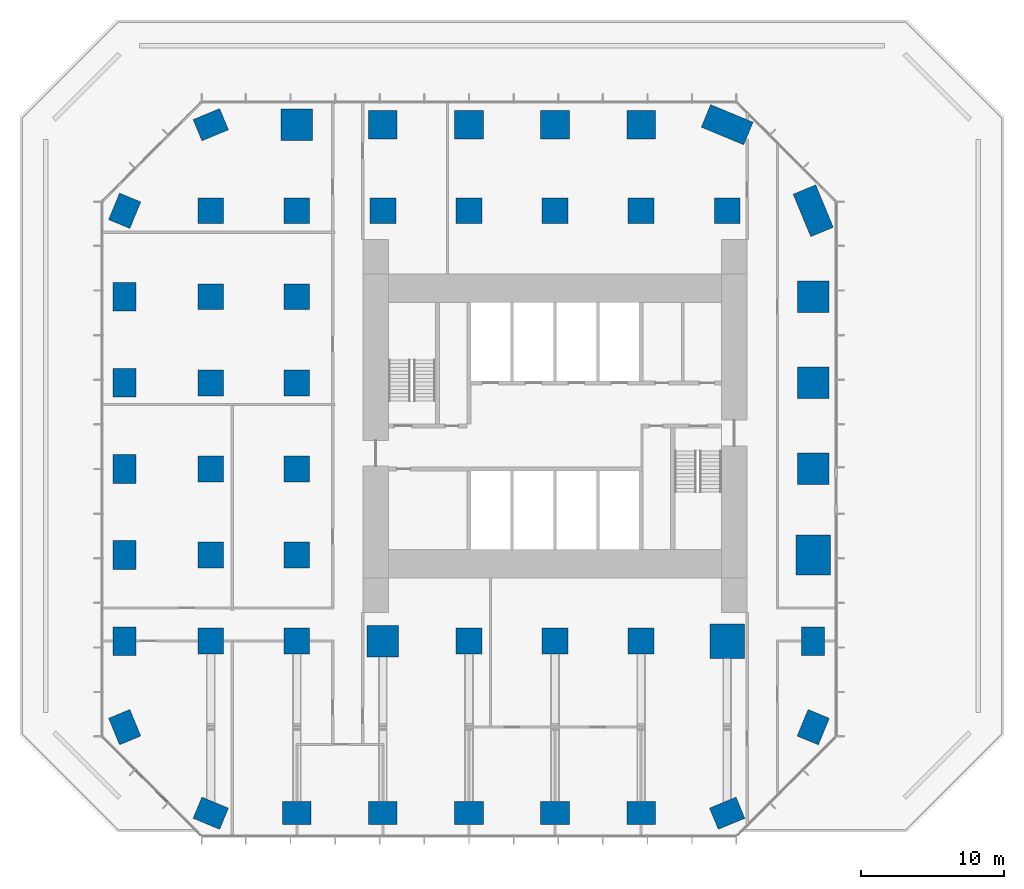
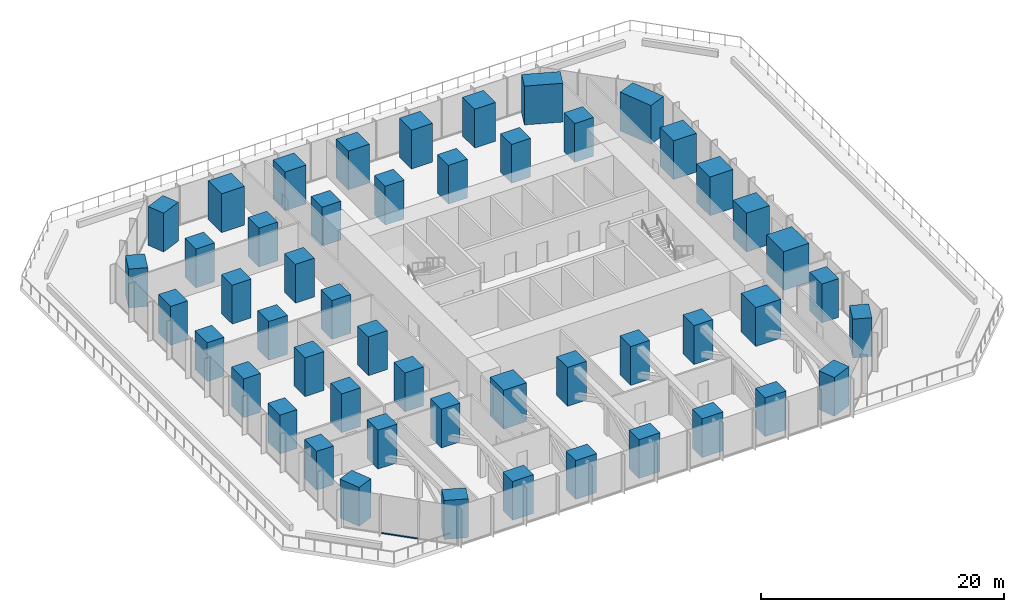
# One storey, part 1 of 11: 50 columns, 1 member, 1 element without a shape of its own.
"""IFC4 building model written with IfcOpenShell, lengths in metres."""

from ifc_helpers import new_model, si_unit, direction, frame, origin, origin_2d, place, context, subcontext, project, spatial, rectangle, extrude, material, layer, layer_set, material_profile, profile_set, type_object, element, aggregate, save


model = new_model("IFC4")

# Units and contexts
model_context = context("Model", 3, precision=1e-05, world=origin(), true_north=direction((0.0, 1.0)))
body_context = subcontext(model_context, "Body", "Model", "MODEL_VIEW")
ifc_project = project(units=[si_unit("LENGTHUNIT", "METRE"), si_unit("AREAUNIT", "SQUARE_METRE"), si_unit("VOLUMEUNIT", "CUBIC_METRE"), si_unit("PLANEANGLEUNIT", "RADIAN"), si_unit("MASSUNIT", "GRAM", prefix="KILO")], contexts=[model_context])

# Site, building, storey
site_placement = place(None, origin())
site = spatial("IfcSite", under=ifc_project, at=site_placement, CompositionType="ELEMENT")
building_placement = place(site_placement, origin())
building = spatial("IfcBuilding", under=site, at=building_placement, Name="Highveld Stack Headquarters", CompositionType="ELEMENT")
storey_placement = place(building_placement, frame((0.0, 0.0, 18.199951171875)))
storey = spatial("IfcBuildingStorey", under=building, at=storey_placement, Name="L03", CompositionType="ELEMENT", Elevation=18.199951171875)

# Columns
ifc_material_1 = material(Name="Concrete C60/75", Category="concrete")
ifc_material_profile_1 = material_profile(ifc_material_1, rectangle(XDim=1.800048828125, YDim=1.800048828125, at=origin_2d()), Name="RC 1800x1800")
ifc_profile_set_1 = profile_set([ifc_material_profile_1], Name="Concrete C60/75")
column_type_1 = type_object("IfcColumnType", Name="COLUMN RC 1800x1800 C60/75", PredefinedType="COLUMN", material=ifc_profile_set_1)
for number, where, z_axis, x_axis, name in (
    (1, (-18.0, -12.0, 0.0), (0.0, 0.0, 1.0), (1.0, 0.0, 0.0), "Column 3/C L03"),
    (2, (-18.0, -6.0, 0.0), (0.0, 0.0, 1.0), (1.0, 0.0, 0.0), "Column 3/D L03"),
    (3, (-18.0, 0.0, 0.0), (0.0, 0.0, 1.0), (1.0, 0.0, 0.0), "Column 3/E L03"),
    (4, (-18.0, 6.0, 0.0), (0.0, 0.0, 1.0), (1.0, 0.0, 0.0), "Column 3/F L03"),
    (5, (-18.0, 12.0, 0.0), (0.0, 0.0, 1.0), (1.0, 0.0, 0.0), "Column 3/G L03"),
    (6, (-18.0, 18.0, 0.0), (0.0, 0.0, 1.0), (1.0, 0.0, 0.0), "Column 3/H L03"),
    (7, (-12.0, -12.0, 0.0), (0.0, 0.0, 1.0), (1.0, 0.0, 0.0), "Column 4/C L03"),
    (8, (-12.0, -6.0, 0.0), (0.0, 0.0, 1.0), (1.0, 0.0, 0.0), "Column 4/D L03"),
    (9, (-12.0, 0.0, 0.0), (0.0, 0.0, 1.0), (1.0, 0.0, 0.0), "Column 4/E L03"),
    (10, (-12.0, 6.0, 0.0), (0.0, 0.0, 1.0), (1.0, 0.0, 0.0), "Column 4/F L03"),
    (11, (-12.0, 12.0, 0.0), (0.0, 0.0, 1.0), (1.0, 0.0, 0.0), "Column 4/G L03"),
    (12, (-12.0, 18.0, 0.0), (0.0, 0.0, 1.0), (1.0, 0.0, 0.0), "Column 4/H L03"),
    (13, (-6.0, 18.0, 0.0), (0.0, 0.0, 1.0), (1.0, 0.0, 0.0), "Column 5/H L03"),
    (14, (0.0, -12.0, 0.0), (0.0, 0.0, 1.0), (1.0, 0.0, 0.0), "Column 6/C L03"),
    (15, (0.0, 18.0, 0.0), (0.0, 0.0, 1.0), (1.0, 0.0, 0.0), "Column 6/H L03"),
    (16, (6.0, -12.0, 0.0), (0.0, 0.0, 1.0), (1.0, 0.0, 0.0), "Column 7/C L03"),
    (17, (6.0, 18.0, 0.0), (0.0, 0.0, 1.0), (1.0, 0.0, 0.0), "Column 7/H L03"),
    (18, (12.0, -12.0, 0.0), (0.0, 0.0, 1.0), (1.0, 0.0, 0.0), "Column 8/C L03"),
    (19, (12.0, 18.0, 0.0), (0.0, 0.0, 1.0), (1.0, 0.0, 0.0), "Column 8/H L03"),
    (20, (18.0, 18.0, 0.0), (0.0, 0.0, 1.0), (1.0, 0.0, 0.0), "Column 9/H L03"),
):
    element("IfcColumn", number, at=place(storey_placement, frame(where, z_axis=z_axis, x_axis=x_axis)), inside=storey, type_object=column_type_1, Name=name, PredefinedType="COLUMN", context=body_context, shape_type="SweptSolid", body=[
        extrude(rectangle(XDim=1.800048828125, YDim=1.800048828125, at=origin_2d()), origin(), (0.0, 0.0, 1.0), 3.900146484375),
    ])
ifc_material_2 = material(Name="Concrete C60/75", Category="concrete")
ifc_material_profile_2 = material_profile(ifc_material_2, rectangle(XDim=2.0, YDim=1.60009765625, at=origin_2d()), Name="RC 2000x1600")
ifc_profile_set_2 = profile_set([ifc_material_profile_2], Name="Concrete C60/75")
column_type_2 = type_object("IfcColumnType", Name="COLUMN RC 2000x1600 C60/75", PredefinedType="COLUMN", material=ifc_profile_set_2)
for number, where, z_axis, x_axis, name in (
    (21, (-24.0, -18.0, 0.0), (0.0, 0.0, 1.0), (-0.382683432365, 0.923879532511, 0.0), "Column 2/B L03"),
    (22, (-24.0, -12.0, 0.0), (0.0, 0.0, 1.0), (0.0, 1.0, 0.0), "Column 2/C L03"),
    (23, (-24.0, -6.0, 0.0), (0.0, 0.0, 1.0), (0.0, 1.0, 0.0), "Column 2/D L03"),
    (24, (-24.0, 0.0, 0.0), (0.0, 0.0, 1.0), (0.0, 1.0, 0.0), "Column 2/E L03"),
    (25, (-24.0, 6.0, 0.0), (0.0, 0.0, 1.0), (0.0, 1.0, 0.0), "Column 2/F L03"),
    (26, (-24.0, 12.0, 0.0), (0.0, 0.0, 1.0), (0.0, 1.0, 0.0), "Column 2/G L03"),
    (27, (-24.0, 18.0, 0.0), (0.0, 0.0, 1.0), (0.382683432365, 0.923879532511, 0.0), "Column 2/H L03"),
    (28, (-18.0, -24.0, 0.0), (0.0, 0.0, 1.0), (-0.923879532511, 0.382683432365, 0.0), "Column 3/A L03"),
    (29, (-18.0, 24.0, 0.0), (0.0, 0.0, 1.0), (0.923879532511, 0.382683432365, 0.0), "Column 3/J L03"),
    (30, (-12.0, -24.0, 0.0), (0.0, 0.0, 1.0), (1.0, 0.0, 0.0), "Column 4/A L03"),
    (31, (-6.0, -24.0, 0.0), (0.0, 0.0, 1.0), (1.0, 0.0, 0.0), "Column 5/A L03"),
    (32, (0.0, -24.0, 0.0), (0.0, 0.0, 1.0), (1.0, 0.0, 0.0), "Column 6/A L03"),
    (33, (6.0, -24.0, 0.0), (0.0, 0.0, 1.0), (1.0, 0.0, 0.0), "Column 7/A L03"),
    (34, (12.0, -24.0, 0.0), (0.0, 0.0, 1.0), (1.0, 0.0, 0.0), "Column 8/A L03"),
    (35, (18.0, -24.0, 0.0), (0.0, 0.0, 1.0), (-0.923879532511, -0.382683432365, 0.0), "Column 9/A L03"),
    (36, (24.0, -18.0, 0.0), (0.0, 0.0, 1.0), (-0.382683432365, -0.923879532511, 0.0), "Column 10/B L03"),
    (37, (24.0, -12.0, 0.0), (0.0, 0.0, 1.0), (0.0, 1.0, 0.0), "Column 10/C L03"),
):
    element("IfcColumn", number, at=place(storey_placement, frame(where, z_axis=z_axis, x_axis=x_axis)), inside=storey, type_object=column_type_2, Name=name, PredefinedType="COLUMN", context=body_context, shape_type="SweptSolid", body=[
        extrude(rectangle(XDim=2.0, YDim=1.60009765625, at=origin_2d()), origin(), (0.0, 0.0, 1.0), 3.900146484375),
    ])
ifc_material_3 = material(Name="Concrete C60/75", Category="concrete")
ifc_material_profile_3 = material_profile(ifc_material_3, rectangle(XDim=2.0, YDim=2.0, at=origin_2d()), Name="RC 2000x2000")
ifc_profile_set_3 = profile_set([ifc_material_profile_3], Name="Concrete C60/75")
column_type_3 = type_object("IfcColumnType", Name="COLUMN RC 2000x2000 C60/75", PredefinedType="COLUMN", material=ifc_profile_set_3)
for number, where, z_axis, x_axis, name in (
    (38, (-6.0, 24.0, 0.0), (0.0, 0.0, 1.0), (1.0, 0.0, 0.0), "Column 5/J L03"),
    (39, (0.0, 24.0, 0.0), (0.0, 0.0, 1.0), (1.0, 0.0, 0.0), "Column 6/J L03"),
    (40, (6.0, 24.0, 0.0), (0.0, 0.0, 1.0), (1.0, 0.0, 0.0), "Column 7/J L03"),
    (41, (12.0, 24.0, 0.0), (0.0, 0.0, 1.0), (1.0, 0.0, 0.0), "Column 8/J L03"),
):
    element("IfcColumn", number, at=place(storey_placement, frame(where, z_axis=z_axis, x_axis=x_axis)), inside=storey, type_object=column_type_3, Name=name, PredefinedType="COLUMN", context=body_context, shape_type="SweptSolid", body=[
        extrude(rectangle(XDim=2.0, YDim=2.0, at=origin_2d()), origin(), (0.0, 0.0, 1.0), 3.900146484375),
    ])
ifc_material_4 = material(Name="Concrete C60/75", Category="concrete")
ifc_material_profile_4 = material_profile(ifc_material_4, rectangle(XDim=2.199951171875, YDim=2.199951171875, at=origin_2d()), Name="RC 2200x2200")
ifc_profile_set_4 = profile_set([ifc_material_profile_4], Name="Concrete C60/75")
column_type_4 = type_object("IfcColumnType", Name="COLUMN RC 2200x2200 C60/75", PredefinedType="COLUMN", material=ifc_profile_set_4)
for number, where, z_axis, x_axis, name in (
    (42, (-12.0, 24.0, 0.0), (0.0, 0.0, 1.0), (1.0, 0.0, 0.0), "Column 4/J L03"),
    (43, (-6.0, -12.0, 0.0), (0.0, 0.0, 1.0), (1.0, 0.0, 0.0), "Column 5/C L03"),
    (44, (24.0, 0.0, 0.0), (0.0, 0.0, 1.0), (1.0, 0.0, 0.0), "Column 10/E L03"),
    (45, (24.0, 6.0, 0.0), (0.0, 0.0, 1.0), (1.0, 0.0, 0.0), "Column 10/F L03"),
    (46, (24.0, 12.0, 0.0), (0.0, 0.0, 1.0), (1.0, 0.0, 0.0), "Column 10/G L03"),
):
    element("IfcColumn", number, at=place(storey_placement, frame(where, z_axis=z_axis, x_axis=x_axis)), inside=storey, type_object=column_type_4, Name=name, PredefinedType="COLUMN", context=body_context, shape_type="SweptSolid", body=[
        extrude(rectangle(XDim=2.199951171875, YDim=2.199951171875, at=origin_2d()), origin(), (0.0, 0.0, 1.0), 3.900146484375),
    ])
ifc_material_5 = material(Name="Concrete C60/75", Category="concrete")
ifc_material_profile_5 = material_profile(ifc_material_5, rectangle(XDim=2.39990234375, YDim=2.39990234375, at=origin_2d()), Name="RC 2400x2400")
ifc_profile_set_5 = profile_set([ifc_material_profile_5], Name="Concrete C60/75")
column_type_5 = type_object("IfcColumnType", Name="COLUMN RC 2400x2400 C60/75", PredefinedType="COLUMN", material=ifc_profile_set_5)
column_1_placement = place(storey_placement, frame((18.0, -12.0, 0.0), z_axis=(0.0, 0.0, 1.0), x_axis=(1.0, 0.0, 0.0)))
element("IfcColumn", 47, at=column_1_placement, inside=storey, type_object=column_type_5, Name="Column 9/C L03", PredefinedType="COLUMN", context=body_context, shape_type="SweptSolid", body=[
    extrude(rectangle(XDim=2.39990234375, YDim=2.39990234375, at=origin_2d()), origin(), (0.0, 0.0, 1.0), 3.900146484375),
])
ifc_material_6 = material(Name="Concrete C60/75", Category="concrete")
ifc_material_profile_6 = material_profile(ifc_material_6, rectangle(XDim=2.800048828125, YDim=2.39990234375, at=origin_2d()), Name="RC 2800x2400")
ifc_profile_set_6 = profile_set([ifc_material_profile_6], Name="Concrete C60/75")
column_type_6 = type_object("IfcColumnType", Name="COLUMN RC 2800x2400 C60/75", PredefinedType="COLUMN", material=ifc_profile_set_6)
column_2_placement = place(storey_placement, frame((24.0, -6.0, 0.0), z_axis=(0.0, 0.0, 1.0), x_axis=(0.0, 1.0, 0.0)))
element("IfcColumn", 48, at=column_2_placement, inside=storey, type_object=column_type_6, Name="Column 10/D L03", PredefinedType="COLUMN", context=body_context, shape_type="SweptSolid", body=[
    extrude(rectangle(XDim=2.800048828125, YDim=2.39990234375, at=origin_2d()), origin(), (0.0, 0.0, 1.0), 3.900146484375),
])
ifc_material_7 = material(Name="Concrete C60/75", Category="concrete")
ifc_material_profile_7 = material_profile(ifc_material_7, rectangle(XDim=3.199951171875, YDim=1.699951171875, at=origin_2d()), Name="RC 3200x1700")
ifc_profile_set_7 = profile_set([ifc_material_profile_7], Name="Concrete C60/75")
column_type_7 = type_object("IfcColumnType", Name="COLUMN RC 3200x1700 C60/75", PredefinedType="COLUMN", material=ifc_profile_set_7)
for number, where, z_axis, x_axis, name in (
    (49, (18.0, 24.0, 0.0), (0.0, 0.0, 1.0), (0.923879532511, -0.382683432365, 0.0), "Column 9/J L03"),
    (50, (24.0, 18.0, 0.0), (0.0, 0.0, 1.0), (0.382683432365, -0.923879532511, 0.0), "Column 10/H L03"),
):
    element("IfcColumn", number, at=place(storey_placement, frame(where, z_axis=z_axis, x_axis=x_axis)), inside=storey, type_object=column_type_7, Name=name, PredefinedType="COLUMN", context=body_context, shape_type="SweptSolid", body=[
        extrude(rectangle(XDim=3.199951171875, YDim=1.699951171875, at=origin_2d()), origin(), (0.0, 0.0, 1.0), 3.900146484375),
    ])

# Curtain wall, member
ifc_material_8 = material(Name="Aluminium bronze anodised", Category="aluminium")
ifc_layer = layer(ifc_material_8, 0.199951171875)
ifc_layer_set = layer_set([ifc_layer], Name="Aluminium bronze anodised")
curtain_wall_type = type_object("IfcCurtainWallType", Name="CW2 TOWER CHAMFER UNITISED CURTAIN WALL", PredefinedType="NOTDEFINED", material=ifc_layer_set)
curtain_wall_placement = place(storey_placement, origin())
curtain_wall = element("IfcCurtainWall", 51, at=curtain_wall_placement, inside=storey, type_object=curtain_wall_type, Name="Curtain wall CW2 L03 SW", PredefinedType="NOTDEFINED")
ifc_material_9 = material(Name="Aluminium bronze anodised", Category="aluminium")
ifc_material_profile_8 = material_profile(ifc_material_9, rectangle(XDim=0.14990234375, YDim=0.10009765625, at=origin_2d()), Name="CW2 TRANSOM 150x100")
ifc_profile_set_8 = profile_set([ifc_material_profile_8], Name="Aluminium bronze anodised")
member_type = type_object("IfcMemberType", Name="CW2 STACK TRANSOM 150x100", PredefinedType="USERDEFINED", material=ifc_profile_set_8)
member_placement = place(storey_placement, frame((-23.2646484375, -20.998046875, 0.050048828125), z_axis=(0.707106781187, -0.707106781187, 0.0), x_axis=(0.707106781187, 0.707106781187, 0.0)))
member = element("IfcMember", 52, at=member_placement, type_object=member_type, Name="CW2 transom L03 2.1", ObjectType="TRANSOM", PredefinedType="USERDEFINED", context=body_context, shape_type="SweptSolid", body=[
    extrude(rectangle(XDim=0.14990234375, YDim=0.10009765625, at=origin_2d()), origin(), (0.0, 0.0, 1.0), 3.20556640625),
])
aggregate(curtain_wall, [member])

save(model, "model.ifc")
